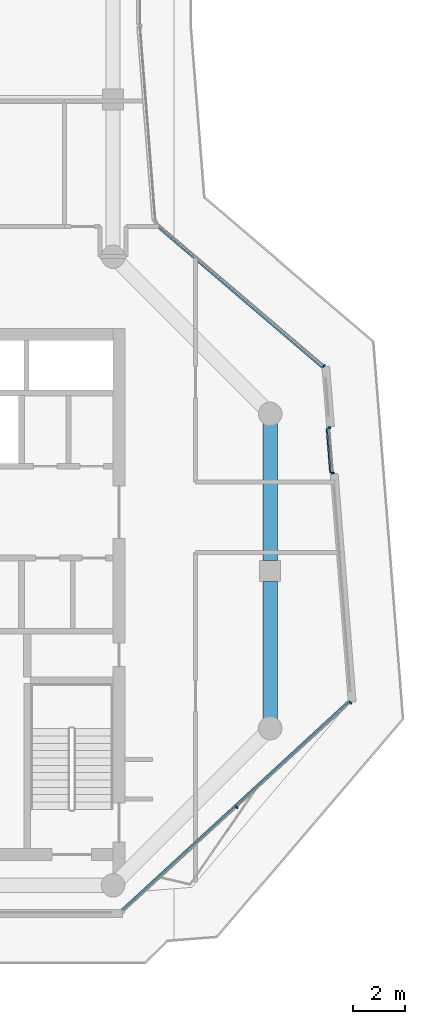
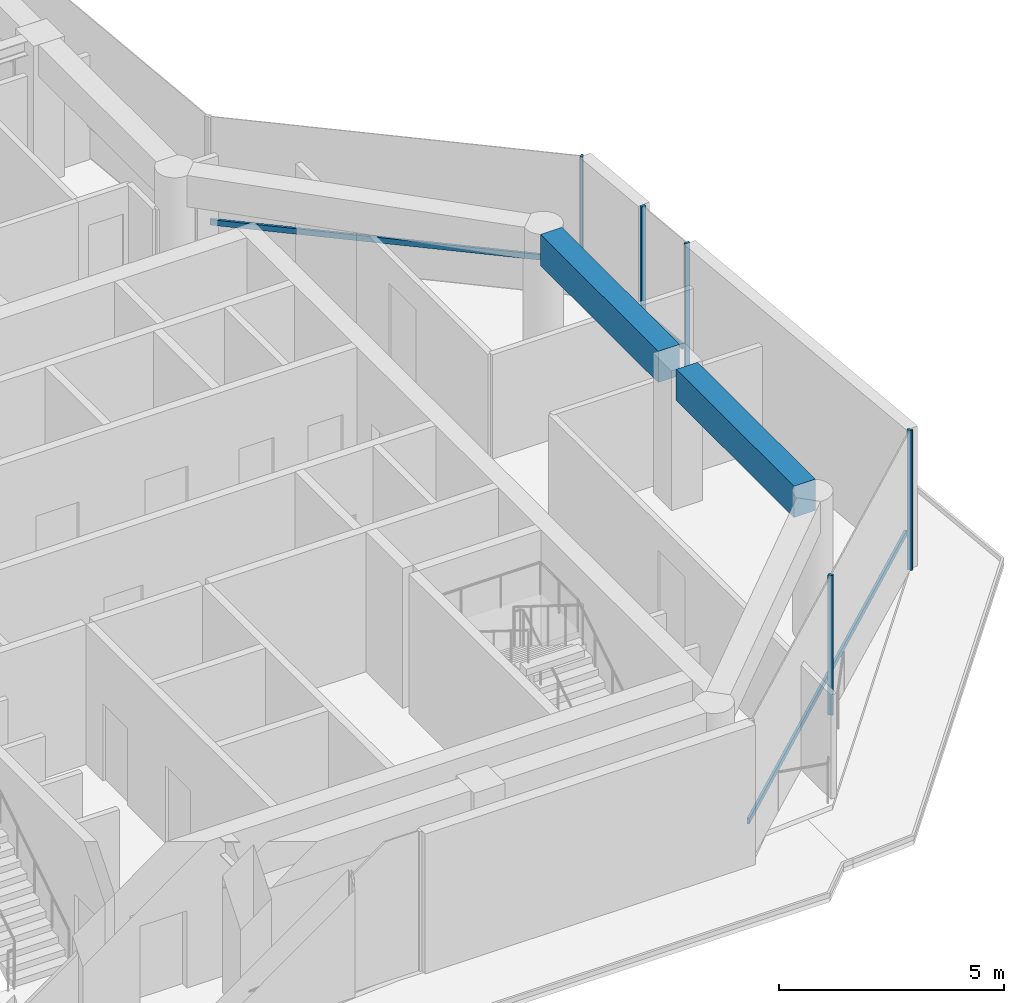
# One storey, part 6 of 23: 8 members, 2 beams, 3 elements without a shape of their own.
"""IFC4 building model written with IfcOpenShell, lengths in metres."""

from ifc_helpers import new_model, si_unit, direction, frame, origin, origin_2d, place, context, subcontext, project, spatial, rectangle, extrude, material, layer, layer_set, material_profile, profile_set, type_object, element, aggregate, save


model = new_model("IFC4")

# Units and contexts
model_context = context("Model", 3, precision=1e-05, world=origin(), true_north=direction((0.0, 1.0)))
body_context = subcontext(model_context, "Body", "Model", "MODEL_VIEW")
ifc_project = project(units=[si_unit("LENGTHUNIT", "METRE"), si_unit("AREAUNIT", "SQUARE_METRE"), si_unit("VOLUMEUNIT", "CUBIC_METRE"), si_unit("PLANEANGLEUNIT", "RADIAN"), si_unit("MASSUNIT", "GRAM", prefix="KILO")], contexts=[model_context])

# Site, building, storey
site_placement = place(None, origin())
site = spatial("IfcSite", under=ifc_project, at=site_placement, CompositionType="ELEMENT")
building_placement = place(site_placement, origin())
building = spatial("IfcBuilding", under=site, at=building_placement, Name="Welwitschia Terrace Campus", CompositionType="ELEMENT")
storey_placement = place(building_placement, frame((0.0, 0.0, 209.60009765625)))
storey = spatial("IfcBuildingStorey", under=building, at=storey_placement, Name="L46", CompositionType="ELEMENT", Elevation=209.60009765625)

# Curtain wall, members
ifc_material_1 = material(Name="Bronze anodised aluminium", Category="aluminium")
ifc_layer = layer(ifc_material_1, 0.1201171875)
ifc_layer_set = layer_set([ifc_layer], Name="Bronze anodised aluminium")
curtain_wall_type = type_object("IfcCurtainWallType", Name="Curtain wall CW2 tower 6000", PredefinedType="NOTDEFINED", material=ifc_layer_set)
curtain_wall_1_placement = place(storey_placement, origin())
curtain_wall_1 = element("IfcCurtainWall", 1, at=curtain_wall_1_placement, inside=storey, type_object=curtain_wall_type, Name="CW L46.3.0", PredefinedType="NOTDEFINED")
ifc_material_2 = material(Name="Bronze anodised aluminium", Category="aluminium")
ifc_material_profile_1 = material_profile(ifc_material_2, rectangle(XDim=0.1201171875, YDim=0.06005859375, at=origin_2d()))
ifc_profile_set_1 = profile_set([ifc_material_profile_1], Name="Bronze anodised aluminium")
member_type_1 = type_object("IfcMemberType", Name="Mullion 60x120", PredefinedType="MULLION", material=ifc_profile_set_1)
member_1_placement = place(storey_placement, frame((28.719970703125, 6.982177734375, 0.0), z_axis=(0.0, 0.0, 1.0), x_axis=(-0.677034390902, 0.735951379872, 0.0)))
member_1 = element("IfcMember", 2, at=member_1_placement, type_object=member_type_1, Name="Mullion L46.3.0.1", PredefinedType="MULLION", context=body_context, shape_type="SweptSolid", body=[
    extrude(rectangle(XDim=0.1201171875, YDim=0.06005859375, at=origin_2d()), origin(), (0.0, 0.0, 1.0), 3.7998046875),
])
member_2_placement = place(storey_placement, frame((33.05908203125, 10.973876953125, 0.0), z_axis=(0.0, 0.0, 1.0), x_axis=(-0.677034390902, 0.735951379872, 0.0)))
member_2 = element("IfcMember", 3, at=member_2_placement, type_object=member_type_1, Name="Mullion L46.3.0.2", PredefinedType="MULLION", context=body_context, shape_type="SweptSolid", body=[
    extrude(rectangle(XDim=0.1201171875, YDim=0.06005859375, at=origin_2d()), origin(), (0.0, 0.0, 1.0), 3.7998046875),
])

curtain_wall_2_placement = place(storey_placement, origin())
curtain_wall_2 = element("IfcCurtainWall", 4, at=curtain_wall_2_placement, inside=storey, type_object=curtain_wall_type, Name="CW L46.4.S0", PredefinedType="NOTDEFINED")
member_3_placement = place(storey_placement, frame((32.393310546875, 19.7373046875, 0.0), z_axis=(0.0, 0.0, 1.0), x_axis=(-0.996917333733, -0.078459095728, 0.0)))
member_3 = element("IfcMember", 5, at=member_3_placement, type_object=member_type_1, Name="Mullion L46.4.S0.0", PredefinedType="MULLION", context=body_context, shape_type="SweptSolid", body=[
    extrude(rectangle(XDim=0.1201171875, YDim=0.06005859375, at=origin_2d()), origin(), (0.0, 0.0, 1.0), 3.7998046875),
])
member_4_placement = place(storey_placement, frame((32.256591796875, 21.471923828125, 0.0), z_axis=(0.0, 0.0, 1.0), x_axis=(-0.996917333733, -0.078459095728, 0.0)))
member_4 = element("IfcMember", 6, at=member_4_placement, type_object=member_type_1, Name="Mullion L46.4.S0.1", PredefinedType="MULLION", context=body_context, shape_type="SweptSolid", body=[
    extrude(rectangle(XDim=0.1201171875, YDim=0.06005859375, at=origin_2d()), origin(), (0.0, 0.0, 1.0), 3.7998046875),
])

# Curtain wall, member
curtain_wall_3_placement = place(storey_placement, origin())
curtain_wall_3 = element("IfcCurtainWall", 7, at=curtain_wall_3_placement, inside=storey, type_object=curtain_wall_type, Name="CW L46.5.0", PredefinedType="NOTDEFINED")
member_5_placement = place(storey_placement, frame((32.050048828125, 23.827392578125, 0.0), z_axis=(0.0, 0.0, 1.0), x_axis=(-0.64944804833, -0.7604059656, 0.0)))
member_5 = element("IfcMember", 8, at=member_5_placement, type_object=member_type_1, Name="Mullion L46.5.0.0", PredefinedType="MULLION", context=body_context, shape_type="SweptSolid", body=[
    extrude(rectangle(XDim=0.1201171875, YDim=0.06005859375, at=origin_2d()), origin(), (0.0, 0.0, 1.0), 3.7998046875),
])

# Beams
ifc_material_3 = material(Name="Concrete C50/60", Category="concrete")
ifc_material_profile_2 = material_profile(ifc_material_3, rectangle(XDim=0.550048828125, YDim=0.85009765625, at=origin_2d()))
ifc_profile_set_2 = profile_set([ifc_material_profile_2], Name="Concrete C50/60")
beam_type = type_object("IfcBeamType", Name="Ring spandrel 550x850", PredefinedType="SPANDREL", material=ifc_profile_set_2)
for number, where, z_axis, x_axis, name in (
    (9, (30.0, 10.35693359375, 3.375), (0.0, 1.0, 0.0), (-1.0, 0.0, 0.0), "Spandrel SP3"),
    (10, (30.0, 16.400390625, 3.375), (0.0, 1.0, 0.0), (-1.0, 0.0, 0.0), "Spandrel SP3"),
):
    element("IfcBeam", number, at=place(storey_placement, frame(where, z_axis=z_axis, x_axis=x_axis)), inside=storey, type_object=beam_type, Name=name, PredefinedType="SPANDREL", context=body_context, shape_type="SweptSolid", body=[
        extrude(rectangle(XDim=0.550048828125, YDim=0.85009765625, at=origin_2d()), origin(), (0.0, 0.0, 1.0), 5.24267578125),
    ])

# Member
ifc_material_4 = material(Name="Bronze anodised aluminium", Category="aluminium")
ifc_material_profile_3 = material_profile(ifc_material_4, rectangle(XDim=0.06005859375, YDim=0.14990234375, at=origin_2d()))
ifc_profile_set_3 = profile_set([ifc_material_profile_3], Name="Bronze anodised aluminium")
member_type_2 = type_object("IfcMemberType", Name="Transom 60x150", PredefinedType="USERDEFINED", material=ifc_profile_set_3)
member_6_placement = place(storey_placement, frame((24.341796875, 3.076904296875, 1.0), z_axis=(0.735948845646, 0.677037145651, 0.0), x_axis=(-0.677037145651, 0.735948845646, 0.0)))
member_6 = element("IfcMember", 11, at=member_6_placement, type_object=member_type_2, Name="Transom L46.3.0", ObjectType="TRANSOM", PredefinedType="USERDEFINED", context=body_context, shape_type="SweptSolid", body=[
    extrude(rectangle(XDim=0.06005859375, YDim=0.14990234375, at=origin_2d()), origin(), (0.0, 0.0, 1.0), 11.732177734375),
])

aggregate(curtain_wall_1, [member_1, member_2, member_6])

member_7_placement = place(storey_placement, frame((32.301025390625, 19.760009765625, 1.0), z_axis=(-0.078474447191, 0.996916125428, 0.0), x_axis=(-0.996916125428, -0.078474447191, 0.0)))
member_7 = element("IfcMember", 12, at=member_7_placement, type_object=member_type_2, Name="Transom L46.4.S0", ObjectType="TRANSOM", PredefinedType="USERDEFINED", context=body_context, shape_type="SweptSolid", body=[
    extrude(rectangle(XDim=0.06005859375, YDim=0.14990234375, at=origin_2d()), origin(), (0.0, 0.0, 1.0), 1.679931640625),
])

aggregate(curtain_wall_2, [member_3, member_4, member_7])

member_8_placement = place(storey_placement, frame((31.96875, 23.778564453125, 1.0), z_axis=(-0.760421419822, 0.649429953325, 0.0), x_axis=(-0.649429953325, -0.760421419822, 0.0)))
member_8 = element("IfcMember", 13, at=member_8_placement, type_object=member_type_2, Name="Transom L46.5.0", ObjectType="TRANSOM", PredefinedType="USERDEFINED", context=body_context, shape_type="SweptSolid", body=[
    extrude(rectangle(XDim=0.06005859375, YDim=0.14990234375, at=origin_2d()), origin(), (0.0, 0.0, 1.0), 8.365234375),
])

aggregate(curtain_wall_3, [member_5, member_8])

save(model, "model.ifc")
